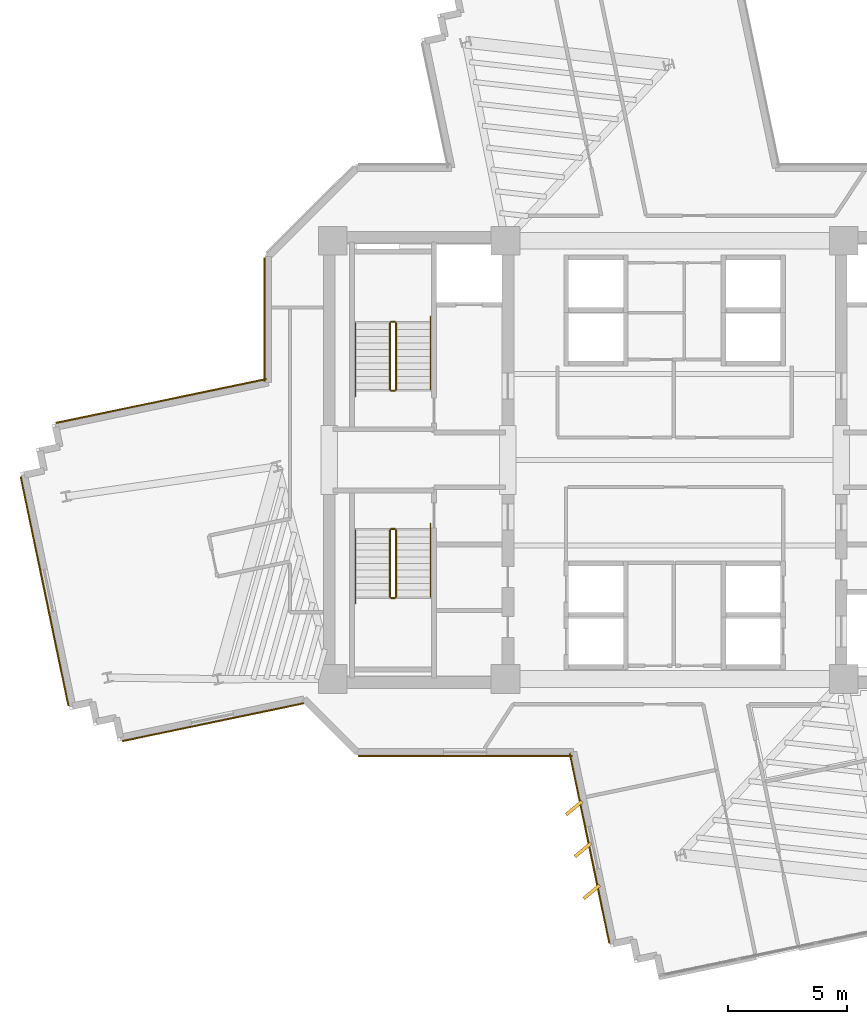
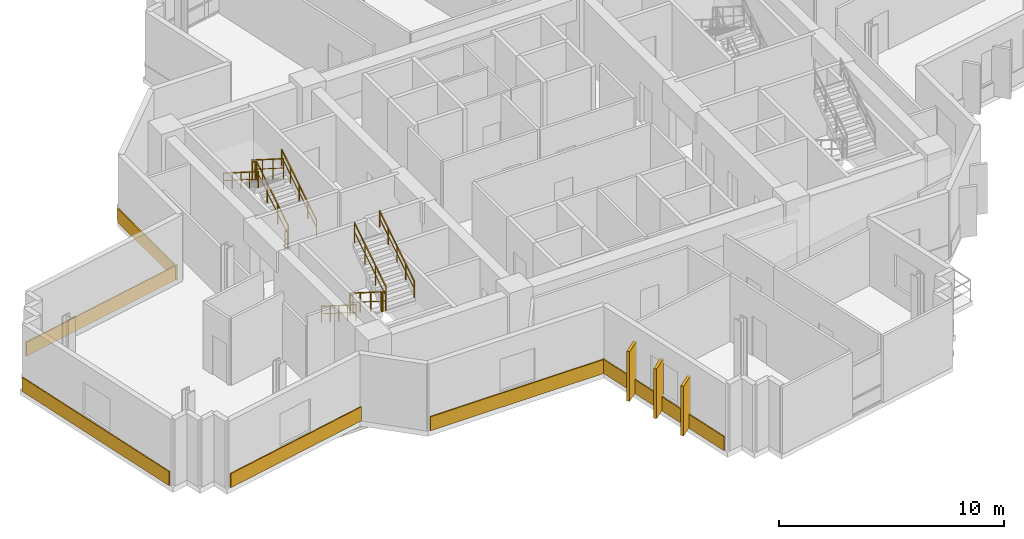
# One storey, part 12 of 14: 12 railings, 9 coverings.
"""IFC4 building model written with IfcOpenShell, lengths in metres."""

from ifc_helpers import new_model, si_unit, direction, frame, origin, origin_2d, place, context, subcontext, project, spatial, rectangle, extrude, source, transform, mapped, material, layer, layer_set, type_object, element, save


model = new_model("IFC4")

# Units and contexts
model_context = context("Model", 3, precision=1e-05, world=origin(), true_north=direction((0.0, 1.0)))
body_context = subcontext(model_context, "Body", "Model", "MODEL_VIEW")
ifc_project = project(units=[si_unit("LENGTHUNIT", "METRE"), si_unit("AREAUNIT", "SQUARE_METRE"), si_unit("VOLUMEUNIT", "CUBIC_METRE"), si_unit("PLANEANGLEUNIT", "RADIAN"), si_unit("MASSUNIT", "GRAM", prefix="KILO")], contexts=[model_context])

# Site, building, storey
site_placement = place(None, origin())
site = spatial("IfcSite", under=ifc_project, at=site_placement, CompositionType="ELEMENT")
building_placement = place(site_placement, origin())
building = spatial("IfcBuilding", under=site, at=building_placement, Name="Zahravan Cultural Tower", CompositionType="ELEMENT")
storey_placement = place(building_placement, frame((0.0, 0.0, 162.89990234375)))
storey = spatial("IfcBuildingStorey", under=building, at=storey_placement, Name="L37", CompositionType="ELEMENT", Elevation=162.89990234375)

# Railings
ifc_material_1 = material(Name="Steel ASTM A572 Grade 50", Category="steel")
railing_type_1 = type_object("IfcRailingType", Name="RL-STAIR-GRD1150", PredefinedType="BALUSTRADE", material=ifc_material_1)
railing_1_placement = place(storey_placement, frame((24.300048828125, 29.949951171875, 0.177490234375)))
element("IfcRailing", 1, at=railing_1_placement, inside=storey, type_object=railing_type_1, Name="L37 ST-W1 stair guard 1", PredefinedType="BALUSTRADE", context=body_context, shape_type="SweptSolid", body=[
    extrude(rectangle(XDim=0.05, YDim=0.05, at=origin_2d()), frame((0.0, 0.0, 1.0751953125), z_axis=(0.0, 0.844908973607, 0.534910110503), x_axis=(-1.0, 0.0, 0.0)), (0.0, 0.0, 1.0), 3.31396484375),
    extrude(rectangle(XDim=0.032, YDim=0.032, at=origin_2d()), frame((0.0, 0.0, 0.572021484375), z_axis=(0.0, 0.844908973607, 0.534910110503), x_axis=(-1.0, 0.0, 0.0)), (0.0, 0.0, 1.0), 3.31396484375),
    extrude(rectangle(XDim=0.04, YDim=0.04, at=origin_2d()), origin(), (0.0, 0.0, 1.0), 1.10009765625),
    extrude(rectangle(XDim=0.04, YDim=0.04, at=origin_2d()), frame((0.0, 0.933349609375, 0.5908203125)), (0.0, 0.0, 1.0), 1.10009765625),
    extrude(rectangle(XDim=0.04, YDim=0.04, at=origin_2d()), frame((0.0, 1.86669921875, 1.181884765625)), (0.0, 0.0, 1.0), 1.10009765625),
    extrude(rectangle(XDim=0.04, YDim=0.04, at=origin_2d()), frame((0.0, 2.800048828125, 1.772705078125)), (0.0, 0.0, 1.0), 1.10009765625),
])
railing_2_placement = place(storey_placement, frame((24.25, 32.800048828125, 1.9501953125)))
element("IfcRailing", 2, at=railing_2_placement, inside=storey, type_object=railing_type_1, Name="L37 ST-W1 stair guard 2", PredefinedType="BALUSTRADE", context=body_context, shape_type="SweptSolid", body=[
    extrude(rectangle(XDim=0.05, YDim=0.05, at=origin_2d()), frame((0.0, 0.0, 1.0751953125), z_axis=(-1.0, 0.0, 0.0), x_axis=(0.0, -1.0, 0.0)), (0.0, 0.0, 1.0), 0.14990234375),
    extrude(rectangle(XDim=0.032, YDim=0.032, at=origin_2d()), frame((0.0, 0.0, 0.572021484375), z_axis=(-1.0, 0.0, 0.0), x_axis=(0.0, -1.0, 0.0)), (0.0, 0.0, 1.0), 0.14990234375),
    extrude(rectangle(XDim=0.04, YDim=0.04, at=origin_2d()), origin(), (0.0, 0.0, 1.0), 1.10009765625),
    extrude(rectangle(XDim=0.04, YDim=0.04, at=origin_2d()), frame((-0.14990234375, 0.0, 0.0)), (0.0, 0.0, 1.0), 1.10009765625),
])
railing_3_placement = place(storey_placement, frame((24.050048828125, 32.75, 2.12744140625)))
element("IfcRailing", 3, at=railing_3_placement, inside=storey, type_object=railing_type_1, Name="L37 ST-W1 stair guard 3", PredefinedType="BALUSTRADE", context=body_context, shape_type="SweptSolid", body=[
    extrude(rectangle(XDim=0.05, YDim=0.05, at=origin_2d()), frame((0.0, 0.0, 1.0751953125), z_axis=(0.0, -0.844908973607, 0.534910110503), x_axis=(1.0, 0.0, 0.0)), (0.0, 0.0, 1.0), 3.31396484375),
    extrude(rectangle(XDim=0.032, YDim=0.032, at=origin_2d()), frame((0.0, 0.0, 0.572021484375), z_axis=(0.0, -0.844908973607, 0.534910110503), x_axis=(1.0, 0.0, 0.0)), (0.0, 0.0, 1.0), 3.31396484375),
    extrude(rectangle(XDim=0.04, YDim=0.04, at=origin_2d()), origin(), (0.0, 0.0, 1.0), 1.10009765625),
    extrude(rectangle(XDim=0.04, YDim=0.04, at=origin_2d()), frame((0.0, -0.933349609375, 0.5908203125)), (0.0, 0.0, 1.0), 1.10009765625),
    extrude(rectangle(XDim=0.04, YDim=0.04, at=origin_2d()), frame((0.0, -1.86669921875, 1.181884765625)), (0.0, 0.0, 1.0), 1.10009765625),
    extrude(rectangle(XDim=0.04, YDim=0.04, at=origin_2d()), frame((0.0, -2.800048828125, 1.772705078125)), (0.0, 0.0, 1.0), 1.10009765625),
])
railing_4_placement = place(storey_placement, frame((24.25, 29.89990234375, 0.0)))
element("IfcRailing", 4, at=railing_4_placement, inside=storey, type_object=railing_type_1, Name="L37 ST-W1 stair guard 4", PredefinedType="BALUSTRADE", context=body_context, shape_type="SweptSolid", body=[
    extrude(rectangle(XDim=0.05, YDim=0.05, at=origin_2d()), frame((0.0, 0.0, 1.0751953125), z_axis=(-1.0, 0.0, 0.0), x_axis=(0.0, -1.0, 0.0)), (0.0, 0.0, 1.0), 0.14990234375),
    extrude(rectangle(XDim=0.032, YDim=0.032, at=origin_2d()), frame((0.0, 0.0, 0.572021484375), z_axis=(-1.0, 0.0, 0.0), x_axis=(0.0, -1.0, 0.0)), (0.0, 0.0, 1.0), 0.14990234375),
    extrude(rectangle(XDim=0.04, YDim=0.04, at=origin_2d()), origin(), (0.0, 0.0, 1.0), 1.10009765625),
    extrude(rectangle(XDim=0.04, YDim=0.04, at=origin_2d()), frame((-0.14990234375, 0.0, 0.0)), (0.0, 0.0, 1.0), 1.10009765625),
])
railing_5_placement = place(storey_placement, frame((24.050048828125, 24.050048828125, 0.177490234375)))
element("IfcRailing", 5, at=railing_5_placement, inside=storey, type_object=railing_type_1, Name="L37 ST-W2 stair guard 1", PredefinedType="BALUSTRADE", context=body_context, shape_type="SweptSolid", body=[
    extrude(rectangle(XDim=0.05, YDim=0.05, at=origin_2d()), frame((0.0, 0.0, 1.0751953125), z_axis=(0.0, -0.844908973607, 0.534910110503), x_axis=(1.0, 0.0, 0.0)), (0.0, 0.0, 1.0), 3.31396484375),
    extrude(rectangle(XDim=0.032, YDim=0.032, at=origin_2d()), frame((0.0, 0.0, 0.572021484375), z_axis=(0.0, -0.844908973607, 0.534910110503), x_axis=(1.0, 0.0, 0.0)), (0.0, 0.0, 1.0), 3.31396484375),
    extrude(rectangle(XDim=0.04, YDim=0.04, at=origin_2d()), origin(), (0.0, 0.0, 1.0), 1.10009765625),
    extrude(rectangle(XDim=0.04, YDim=0.04, at=origin_2d()), frame((0.0, -0.933349609375, 0.5908203125)), (0.0, 0.0, 1.0), 1.10009765625),
    extrude(rectangle(XDim=0.04, YDim=0.04, at=origin_2d()), frame((0.0, -1.86669921875, 1.181884765625)), (0.0, 0.0, 1.0), 1.10009765625),
    extrude(rectangle(XDim=0.04, YDim=0.04, at=origin_2d()), frame((0.0, -2.800048828125, 1.772705078125)), (0.0, 0.0, 1.0), 1.10009765625),
])
railing_6_placement = place(storey_placement, frame((24.10009765625, 21.199951171875, 1.9501953125)))
element("IfcRailing", 6, at=railing_6_placement, inside=storey, type_object=railing_type_1, Name="L37 ST-W2 stair guard 2", PredefinedType="BALUSTRADE", context=body_context, shape_type="SweptSolid", body=[
    extrude(rectangle(XDim=0.05, YDim=0.05, at=origin_2d()), frame((0.0, 0.0, 1.0751953125), z_axis=(1.0, 0.0, 0.0), x_axis=(0.0, 1.0, 0.0)), (0.0, 0.0, 1.0), 0.14990234375),
    extrude(rectangle(XDim=0.032, YDim=0.032, at=origin_2d()), frame((0.0, 0.0, 0.572021484375), z_axis=(1.0, 0.0, 0.0), x_axis=(0.0, 1.0, 0.0)), (0.0, 0.0, 1.0), 0.14990234375),
    extrude(rectangle(XDim=0.04, YDim=0.04, at=origin_2d()), origin(), (0.0, 0.0, 1.0), 1.10009765625),
    extrude(rectangle(XDim=0.04, YDim=0.04, at=origin_2d()), frame((0.14990234375, 0.0, 0.0)), (0.0, 0.0, 1.0), 1.10009765625),
])
railing_7_placement = place(storey_placement, frame((24.300048828125, 21.25, 2.12744140625)))
element("IfcRailing", 7, at=railing_7_placement, inside=storey, type_object=railing_type_1, Name="L37 ST-W2 stair guard 3", PredefinedType="BALUSTRADE", context=body_context, shape_type="SweptSolid", body=[
    extrude(rectangle(XDim=0.05, YDim=0.05, at=origin_2d()), frame((0.0, 0.0, 1.0751953125), z_axis=(0.0, 0.844908973607, 0.534910110503), x_axis=(-1.0, 0.0, 0.0)), (0.0, 0.0, 1.0), 3.31396484375),
    extrude(rectangle(XDim=0.032, YDim=0.032, at=origin_2d()), frame((0.0, 0.0, 0.572021484375), z_axis=(0.0, 0.844908973607, 0.534910110503), x_axis=(-1.0, 0.0, 0.0)), (0.0, 0.0, 1.0), 3.31396484375),
    extrude(rectangle(XDim=0.04, YDim=0.04, at=origin_2d()), origin(), (0.0, 0.0, 1.0), 1.10009765625),
    extrude(rectangle(XDim=0.04, YDim=0.04, at=origin_2d()), frame((0.0, 0.933349609375, 0.5908203125)), (0.0, 0.0, 1.0), 1.10009765625),
    extrude(rectangle(XDim=0.04, YDim=0.04, at=origin_2d()), frame((0.0, 1.86669921875, 1.181884765625)), (0.0, 0.0, 1.0), 1.10009765625),
    extrude(rectangle(XDim=0.04, YDim=0.04, at=origin_2d()), frame((0.0, 2.800048828125, 1.772705078125)), (0.0, 0.0, 1.0), 1.10009765625),
])
railing_8_placement = place(storey_placement, frame((24.10009765625, 24.10009765625, 0.0)))
element("IfcRailing", 8, at=railing_8_placement, inside=storey, type_object=railing_type_1, Name="L37 ST-W2 stair guard 4", PredefinedType="BALUSTRADE", context=body_context, shape_type="SweptSolid", body=[
    extrude(rectangle(XDim=0.05, YDim=0.05, at=origin_2d()), frame((0.0, 0.0, 1.0751953125), z_axis=(1.0, 0.0, 0.0), x_axis=(0.0, 1.0, 0.0)), (0.0, 0.0, 1.0), 0.14990234375),
    extrude(rectangle(XDim=0.032, YDim=0.032, at=origin_2d()), frame((0.0, 0.0, 0.572021484375), z_axis=(1.0, 0.0, 0.0), x_axis=(0.0, 1.0, 0.0)), (0.0, 0.0, 1.0), 0.14990234375),
    extrude(rectangle(XDim=0.04, YDim=0.04, at=origin_2d()), origin(), (0.0, 0.0, 1.0), 1.10009765625),
    extrude(rectangle(XDim=0.04, YDim=0.04, at=origin_2d()), frame((0.14990234375, 0.0, 0.0)), (0.0, 0.0, 1.0), 1.10009765625),
])
railing_type_2 = type_object("IfcRailingType", Name="RL-STAIR-HR900", PredefinedType="HANDRAIL", material=ifc_material_1)
railing_9_placement = place(storey_placement, frame((25.75, 29.949951171875, 0.177490234375)))
element("IfcRailing", 9, at=railing_9_placement, inside=storey, type_object=railing_type_2, Name="L37 ST-W1 stair handrail 1", PredefinedType="HANDRAIL", context=body_context, shape_type="SweptSolid", body=[
    extrude(rectangle(XDim=0.05, YDim=0.05, at=origin_2d()), frame((0.0, 0.0, 0.875), z_axis=(0.0, 0.844913916606, 0.534902302785), x_axis=(-1.0, 0.0, 0.0)), (0.0, 0.0, 1.0), 3.6455078125),
    extrude(rectangle(XDim=0.032, YDim=0.032, at=origin_2d()), frame((0.0, 0.0, 0.468017578125), z_axis=(0.0, 0.844913916606, 0.534902302785), x_axis=(-1.0, 0.0, 0.0)), (0.0, 0.0, 1.0), 3.6455078125),
    extrude(rectangle(XDim=0.04, YDim=0.04, at=origin_2d()), origin(), (0.0, 0.0, 1.0), 0.89990234375),
    extrude(rectangle(XDim=0.04, YDim=0.04, at=origin_2d()), frame((0.0, 0.77001953125, 0.487548828125)), (0.0, 0.0, 1.0), 0.89990234375),
    extrude(rectangle(XDim=0.04, YDim=0.04, at=origin_2d()), frame((0.0, 1.5400390625, 0.97509765625)), (0.0, 0.0, 1.0), 0.89990234375),
    extrude(rectangle(XDim=0.04, YDim=0.04, at=origin_2d()), frame((0.0, 2.31005859375, 1.46240234375)), (0.0, 0.0, 1.0), 0.89990234375),
    extrude(rectangle(XDim=0.04, YDim=0.04, at=origin_2d()), frame((0.0, 3.080078125, 1.949951171875)), (0.0, 0.0, 1.0), 0.89990234375),
])
for number, where, name in (
    (10, (22.60009765625, 32.75, 2.12744140625), "L37 ST-W1 stair handrail 2"),
    (11, (22.60009765625, 24.050048828125, 0.177490234375), "L37 ST-W2 stair handrail 1"),
):
    element("IfcRailing", number, at=place(storey_placement, frame(where)), inside=storey, type_object=railing_type_2, Name=name, PredefinedType="HANDRAIL", context=body_context, shape_type="SweptSolid", body=[
        extrude(rectangle(XDim=0.05, YDim=0.05, at=origin_2d()), frame((0.0, 0.0, 0.875), z_axis=(0.0, -0.844913916606, 0.534902302785), x_axis=(1.0, 0.0, 0.0)), (0.0, 0.0, 1.0), 3.6455078125),
        extrude(rectangle(XDim=0.032, YDim=0.032, at=origin_2d()), frame((0.0, 0.0, 0.468017578125), z_axis=(0.0, -0.844913916606, 0.534902302785), x_axis=(1.0, 0.0, 0.0)), (0.0, 0.0, 1.0), 3.6455078125),
        extrude(rectangle(XDim=0.04, YDim=0.04, at=origin_2d()), origin(), (0.0, 0.0, 1.0), 0.89990234375),
        extrude(rectangle(XDim=0.04, YDim=0.04, at=origin_2d()), frame((0.0, -0.77001953125, 0.487548828125)), (0.0, 0.0, 1.0), 0.89990234375),
        extrude(rectangle(XDim=0.04, YDim=0.04, at=origin_2d()), frame((0.0, -1.5400390625, 0.97509765625)), (0.0, 0.0, 1.0), 0.89990234375),
        extrude(rectangle(XDim=0.04, YDim=0.04, at=origin_2d()), frame((0.0, -2.31005859375, 1.46240234375)), (0.0, 0.0, 1.0), 0.89990234375),
        extrude(rectangle(XDim=0.04, YDim=0.04, at=origin_2d()), frame((0.0, -3.080078125, 1.949951171875)), (0.0, 0.0, 1.0), 0.89990234375),
    ])
railing_10_placement = place(storey_placement, frame((25.75, 21.25, 2.12744140625)))
element("IfcRailing", 12, at=railing_10_placement, inside=storey, type_object=railing_type_2, Name="L37 ST-W2 stair handrail 2", PredefinedType="HANDRAIL", context=body_context, shape_type="SweptSolid", body=[
    extrude(rectangle(XDim=0.05, YDim=0.05, at=origin_2d()), frame((0.0, 0.0, 0.875), z_axis=(0.0, 0.844913916606, 0.534902302785), x_axis=(-1.0, 0.0, 0.0)), (0.0, 0.0, 1.0), 3.6455078125),
    extrude(rectangle(XDim=0.032, YDim=0.032, at=origin_2d()), frame((0.0, 0.0, 0.468017578125), z_axis=(0.0, 0.844913916606, 0.534902302785), x_axis=(-1.0, 0.0, 0.0)), (0.0, 0.0, 1.0), 3.6455078125),
    extrude(rectangle(XDim=0.04, YDim=0.04, at=origin_2d()), origin(), (0.0, 0.0, 1.0), 0.89990234375),
    extrude(rectangle(XDim=0.04, YDim=0.04, at=origin_2d()), frame((0.0, 0.77001953125, 0.487548828125)), (0.0, 0.0, 1.0), 0.89990234375),
    extrude(rectangle(XDim=0.04, YDim=0.04, at=origin_2d()), frame((0.0, 1.5400390625, 0.97509765625)), (0.0, 0.0, 1.0), 0.89990234375),
    extrude(rectangle(XDim=0.04, YDim=0.04, at=origin_2d()), frame((0.0, 2.31005859375, 1.46240234375)), (0.0, 0.0, 1.0), 0.89990234375),
    extrude(rectangle(XDim=0.04, YDim=0.04, at=origin_2d()), frame((0.0, 3.080078125, 1.949951171875)), (0.0, 0.0, 1.0), 0.89990234375),
])

# Coverings
ifc_material_2 = material(Name="Terracotta ceramic cladding", Category="masonry")
ifc_layer = layer(ifc_material_2, 0.06005859375)
ifc_layer_set = layer_set([ifc_layer], Name="Terracotta ceramic cladding")
covering_type = type_object("IfcCoveringType", Name="COV-CLAD-TC60", PredefinedType="CLADDING", material=ifc_layer_set)
shared_shape_1 = source(origin(), body_context, "Body", "SweptSolid", [
    extrude(rectangle(XDim=9.820068359375, YDim=0.06005859375, at=origin_2d()), origin(), (0.0, 0.0, 1.0), 0.760009765625),
])
covering_1_placement = place(storey_placement, frame((9.544189453125, 21.482666015625, 0.02001953125), z_axis=(0.0, 0.0, 1.0), x_axis=(-0.204154350213, 0.978938711712, 0.0)))
element("IfcCovering", 13, at=covering_1_placement, inside=storey, type_object=covering_type, Name="L37 Terracotta Spandrel Cladding 32", PredefinedType="CLADDING", context=body_context, shape_type="MappedRepresentation", body=[
    mapped(shared_shape_1, transform((0.0, 0.0, 0.0), x_axis=(1.0, 0.0, 0.0), y_axis=(0.0, 1.0, 0.0), z_axis=(0.0, 0.0, 1.0), scale=1.0)),
])
shared_shape_2 = source(origin(), body_context, "Body", "SweptSolid", [
    extrude(rectangle(XDim=0.8798828125, YDim=0.139892578125, at=origin_2d()), origin(), (0.0, 0.0, 1.0), 2.699951171875),
])
for number, where, z_axis, x_axis, name in (
    (14, (32.52001953125, 8.860107421875, 0.05029296875), (0.0, 0.0, 1.0), (-0.768506917219, -0.639841478951, 0.0), "L37 Herringbone Terracotta Fin 16"),
    (15, (32.152587890625, 10.6220703125, 0.05029296875), (0.0, 0.0, 1.0), (-0.768506917219, -0.639841478951, 0.0), "L37 Herringbone Terracotta Fin 17"),
    (16, (31.78515625, 12.38427734375, 0.05029296875), (0.0, 0.0, 1.0), (-0.768506917219, -0.639841478951, 0.0), "L37 Herringbone Terracotta Fin 18"),
):
    element("IfcCovering", number, at=place(storey_placement, frame(where, z_axis=z_axis, x_axis=x_axis)), inside=storey, type_object=covering_type, Name=name, PredefinedType="CLADDING", context=body_context, shape_type="MappedRepresentation", body=[
        mapped(shared_shape_2, transform((0.0, 0.0, 0.0), x_axis=(1.0, 0.0, 0.0), y_axis=(0.0, 1.0, 0.0), z_axis=(0.0, 0.0, 1.0), scale=1.0)),
    ])
shared_shape_3 = source(origin(), body_context, "Body", "SweptSolid", [
    extrude(rectangle(XDim=7.781494140625, YDim=0.06005859375, at=origin_2d()), origin(), (0.0, 0.0, 1.0), 0.760009765625),
])
covering_2_placement = place(storey_placement, frame((16.62109375, 15.98681640625, 0.02001953125), z_axis=(0.0, 0.0, 1.0), x_axis=(-0.978938711712, -0.204154350213, 0.0)))
element("IfcCovering", 17, at=covering_2_placement, inside=storey, type_object=covering_type, Name="L37 Terracotta Spandrel Cladding 27", PredefinedType="CLADDING", context=body_context, shape_type="MappedRepresentation", body=[
    mapped(shared_shape_3, transform((0.0, 0.0, 0.0), x_axis=(1.0, 0.0, 0.0), y_axis=(0.0, 1.0, 0.0), z_axis=(0.0, 0.0, 1.0), scale=1.0)),
])
shared_shape_4 = source(origin(), body_context, "Body", "SweptSolid", [
    extrude(rectangle(XDim=9.02197265625, YDim=0.06005859375, at=origin_2d()), origin(), (0.0, 0.0, 1.0), 0.760009765625),
])
covering_3_placement = place(storey_placement, frame((14.44140625, 29.475830078125, 0.02001953125), z_axis=(0.0, 0.0, 1.0), x_axis=(0.978938711712, 0.204154350213, 0.0)))
element("IfcCovering", 18, at=covering_3_placement, inside=storey, type_object=covering_type, Name="L37 Terracotta Spandrel Cladding 37", PredefinedType="CLADDING", context=body_context, shape_type="MappedRepresentation", body=[
    mapped(shared_shape_4, transform((0.0, 0.0, 0.0), x_axis=(1.0, 0.0, 0.0), y_axis=(0.0, 1.0, 0.0), z_axis=(0.0, 0.0, 1.0), scale=1.0)),
])
shared_shape_5 = source(origin(), body_context, "Body", "SweptSolid", [
    extrude(rectangle(XDim=5.196533203125, YDim=0.06005859375, at=origin_2d()), origin(), (0.0, 0.0, 1.0), 0.760009765625),
])
covering_4_placement = place(storey_placement, frame((18.77490234375, 32.893798828125, 0.02001953125), z_axis=(0.0, 0.0, 1.0), x_axis=(0.0, 1.0, 0.0)))
element("IfcCovering", 19, at=covering_4_placement, inside=storey, type_object=covering_type, Name="L37 Terracotta Spandrel Cladding 38", PredefinedType="CLADDING", context=body_context, shape_type="MappedRepresentation", body=[
    mapped(shared_shape_5, transform((0.0, 0.0, 0.0), x_axis=(1.0, 0.0, 0.0), y_axis=(0.0, 1.0, 0.0), z_axis=(0.0, 0.0, 1.0), scale=1.0)),
])
shared_shape_6 = source(origin(), body_context, "Body", "SweptSolid", [
    extrude(rectangle(XDim=8.125244140625, YDim=0.06005859375, at=origin_2d()), origin(), (0.0, 0.0, 1.0), 0.760009765625),
])
covering_5_placement = place(storey_placement, frame((32.431640625, 10.680419921875, 0.02001953125), z_axis=(0.0, 0.0, 1.0), x_axis=(-0.204154350213, 0.978938711712, 0.0)))
element("IfcCovering", 20, at=covering_5_placement, inside=storey, type_object=covering_type, Name="L37 Terracotta Spandrel Cladding 24", PredefinedType="CLADDING", context=body_context, shape_type="MappedRepresentation", body=[
    mapped(shared_shape_6, transform((0.0, 0.0, 0.0), x_axis=(1.0, 0.0, 0.0), y_axis=(0.0, 1.0, 0.0), z_axis=(0.0, 0.0, 1.0), scale=1.0)),
])
shared_shape_7 = source(origin(), body_context, "Body", "SweptSolid", [
    extrude(rectangle(XDim=8.99560546875, YDim=0.06005859375, at=origin_2d()), origin(), (0.0, 0.0, 1.0), 0.760009765625),
])
covering_6_placement = place(storey_placement, frame((27.205810546875, 14.574951171875, 0.02001953125), z_axis=(0.0, 0.0, 1.0), x_axis=(-1.0, 0.0, 0.0)))
element("IfcCovering", 21, at=covering_6_placement, inside=storey, type_object=covering_type, Name="L37 Terracotta Spandrel Cladding 25", PredefinedType="CLADDING", context=body_context, shape_type="MappedRepresentation", body=[
    mapped(shared_shape_7, transform((0.0, 0.0, 0.0), x_axis=(1.0, 0.0, 0.0), y_axis=(0.0, 1.0, 0.0), z_axis=(0.0, 0.0, 1.0), scale=1.0)),
])

save(model, "model.ifc")
